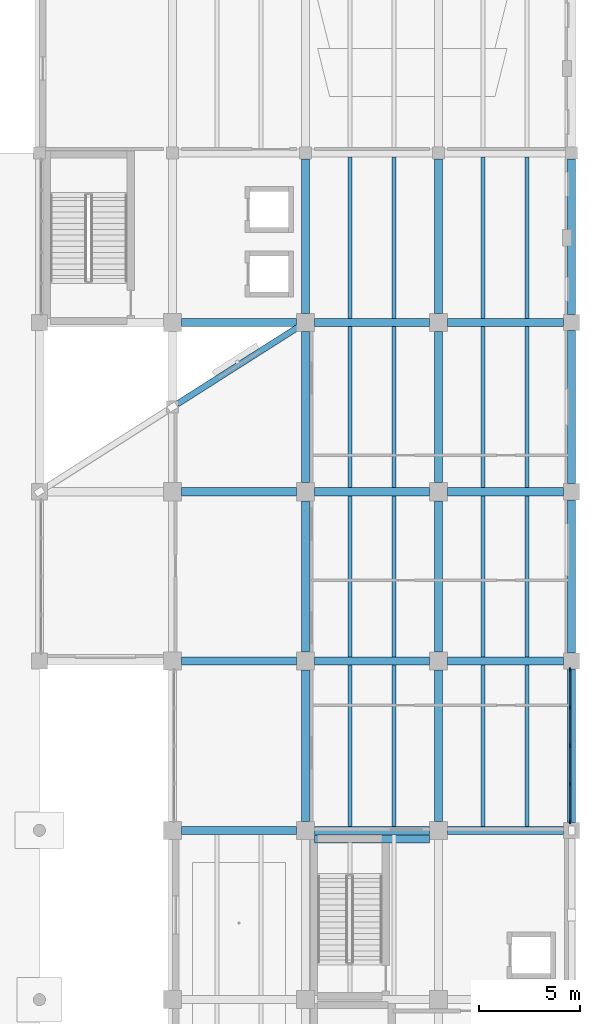
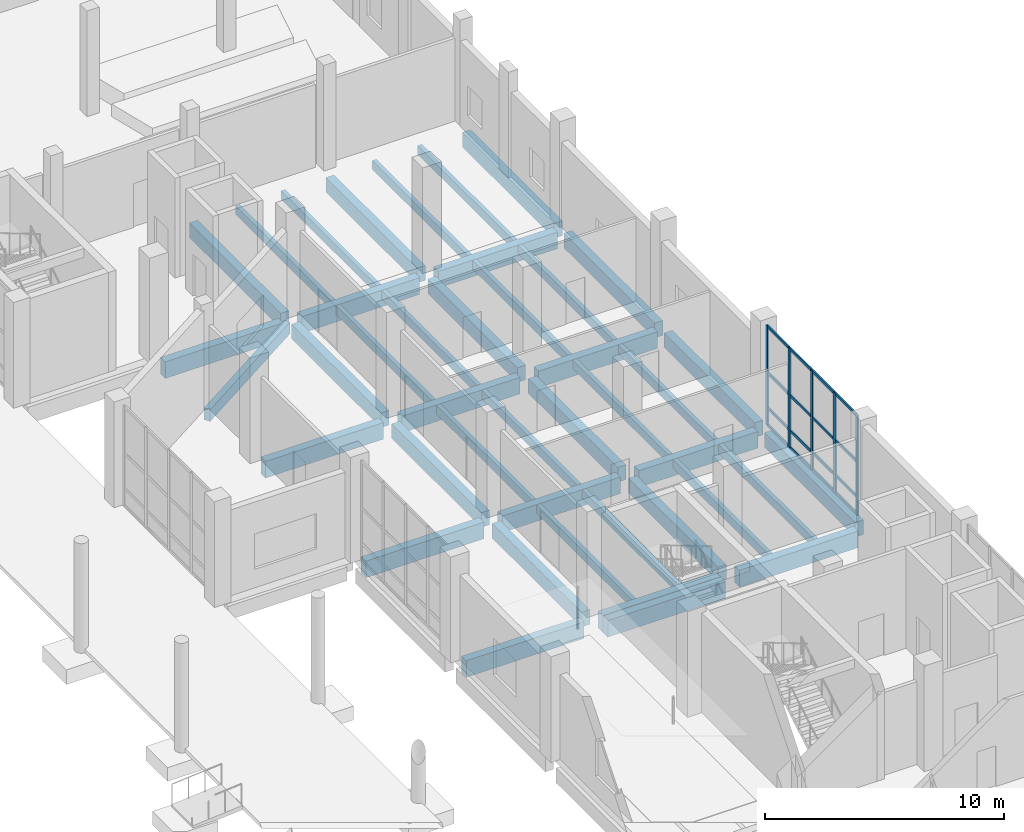
# One storey, part 20 of 64: 42 beams, 21 members, 1 element without a shape of its own.
"""IFC4 building model written with IfcOpenShell, lengths in metres."""

import ifcopenshell
import ifcopenshell.guid

model = None  # the IFC model being written
_history = None  # IfcOwnerHistory: only IFC2X3 demands one
_inside = {}  # id of a spatial element -> (the spatial element, [elements in it])
_under = {}  # id of a project, library or spatial element -> (it, [spatial elements below it])
_declared = {}  # id of a project -> (the project, [libraries it declares])
_typed = {}  # id of a type object -> (the type object, [elements of that type])
_made_of = {}  # id of a material, layer set ... -> (it, [elements and type objects made of it])


def new_model(schema):
    """Start an empty IFC model of exactly this schema.

    Asked for "IFC4X3", IfcOpenShell would pick the latest addendum, in which some entities
    have other attributes; the version numbers below select the first issue.
    IFC2X3 requires an IfcOwnerHistory on every rooted entity: one is made here for all.
    """
    global model, _history
    if schema == "IFC4X3":
        model = ifcopenshell.file(schema_version=(4, 3, 0, 0))
    else:
        model = ifcopenshell.file(schema=schema)
    _inside.clear()
    _under.clear()
    _declared.clear()
    _typed.clear()
    _made_of.clear()
    _history = None
    if model.schema == "IFC2X3":
        org = make("IfcOrganization", Name="unknown")
        user = make(
            "IfcPersonAndOrganization",
            ThePerson=make("IfcPerson", FamilyName="unknown"),
            TheOrganization=org,
        )
        app = make(
            "IfcApplication",
            ApplicationDeveloper=org,
            Version="unknown",
            ApplicationFullName="unknown",
            ApplicationIdentifier="unknown",
        )
        _history = make(
            "IfcOwnerHistory",
            OwningUser=user,
            OwningApplication=app,
            ChangeAction="ADDED",
            CreationDate=0,
        )
    return model


def make(cls, **values):
    """One entity of the class cls with the attributes given. An attribute that is None is left unset."""
    return model.create_entity(
        cls, **{name: value for name, value in values.items() if value is not None}
    )


def rooted(cls, **values):
    """An entity with a GlobalId (a new one), such as an element, a storey or a relation."""
    return make(cls, GlobalId=ifcopenshell.guid.new(), OwnerHistory=_history, **values)


def si_unit(unit_type, name, prefix=None):
    """IfcSIUnit, for example si_unit("LENGTHUNIT", "METRE", prefix="MILLI")."""
    return make("IfcSIUnit", UnitType=unit_type, Prefix=prefix, Name=name)


def assignment(units):
    """IfcUnitAssignment: the units of a project."""
    return None if units is None else make("IfcUnitAssignment", Units=units)


def point(xyz):
    """IfcCartesianPoint."""
    return None if xyz is None else make("IfcCartesianPoint", Coordinates=xyz)


def direction(xyz):
    """IfcDirection."""
    return None if xyz is None else make("IfcDirection", DirectionRatios=xyz)


def frame(location, z_axis=None, x_axis=None):
    """IfcAxis2Placement3D, a coordinate frame: its origin and axes. An axis left out is left unset."""
    return make(
        "IfcAxis2Placement3D",
        Location=point(location),
        Axis=direction(z_axis),
        RefDirection=direction(x_axis),
    )


def frame_2d(location, x_axis=None):
    """IfcAxis2Placement2D, a coordinate frame in the plane: its origin and x axis."""
    return make(
        "IfcAxis2Placement2D", Location=point(location), RefDirection=direction(x_axis)
    )


def origin():
    """The frame at (0, 0, 0) with its axes left unset."""
    return frame((0.0, 0.0, 0.0))


def origin_2d():
    """The frame at (0, 0) in the plane with its x axis left unset."""
    return frame_2d((0.0, 0.0))


def place(relative_to, where):
    """IfcLocalPlacement: puts the frame where relative to a parent placement (None: the world)."""
    return make(
        "IfcLocalPlacement", PlacementRelTo=relative_to, RelativePlacement=where
    )


def context(
    kind, dimensions, precision=None, world=None, true_north=None, identifier=None
):
    """IfcGeometricRepresentationContext, for example the 3D "Model" context."""
    return make(
        "IfcGeometricRepresentationContext",
        ContextIdentifier=identifier,
        ContextType=kind,
        CoordinateSpaceDimension=dimensions,
        Precision=precision,
        WorldCoordinateSystem=world,
        TrueNorth=true_north,
    )


def subcontext(parent, identifier, kind, view, scale=None):
    """IfcGeometricRepresentationSubContext, for example "Body" below "Model"."""
    return make(
        "IfcGeometricRepresentationSubContext",
        ContextIdentifier=identifier,
        ContextType=kind,
        ParentContext=parent,
        TargetScale=scale,
        TargetView=view,
    )


def project(units=None, contexts=None):
    """IfcProject with its units and contexts."""
    return rooted(
        "IfcProject",
        Name="project",
        RepresentationContexts=contexts,
        UnitsInContext=assignment(units),
    )


def spatial(cls, under=None, at=None, **own):
    """A site, building, storey or space (cls), placed at a placement, below another one or the project."""
    s = rooted(cls, ObjectPlacement=at, **own)
    if under is not None:
        _under.setdefault(under.id(), (under, []))[1].append(s)
    return s


def profile(cls, at=None, kind="AREA", **sizes):
    """A parametric profile (cls). Its sizes go by their IFC names, for example OverallWidth=200.0."""
    return make(cls, ProfileType=kind, Position=at, **sizes)


def rectangle(**sizes):
    """IfcRectangleProfileDef."""
    return profile("IfcRectangleProfileDef", **sizes)


def extrude(swept, where, along, depth):
    """IfcExtrudedAreaSolid: the profile swept, set in the frame where, extruded along a direction by depth."""
    return make(
        "IfcExtrudedAreaSolid",
        SweptArea=swept,
        Position=where,
        ExtrudedDirection=direction(along),
        Depth=depth,
    )


def shape(context_of_items, identifier, shape_type, items):
    """IfcShapeRepresentation: the items that make up one representation, for example the "Body"."""
    return make(
        "IfcShapeRepresentation",
        ContextOfItems=context_of_items,
        RepresentationIdentifier=identifier,
        RepresentationType=shape_type,
        Items=items,
    )


def material(Name=None, Category=None):
    """IfcMaterial."""
    return make("IfcMaterial", Name=Name, Category=Category)


def material_profile(
    of_material, cross_section, Name=None, Category=None, Priority=None
):
    """IfcMaterialProfile: a cross section and its material."""
    return make(
        "IfcMaterialProfile",
        Name=Name,
        Material=of_material,
        Profile=cross_section,
        Priority=Priority,
        Category=Category,
    )


def profile_set(profiles, Name=None, composite=None):
    """IfcMaterialProfileSet."""
    return make(
        "IfcMaterialProfileSet",
        Name=Name,
        MaterialProfiles=profiles,
        CompositeProfile=composite,
    )


def made_of(thing, what):
    """Note that an element or type object is made of a material, layer set ...; save() writes the relation."""
    if what is not None:
        _made_of.setdefault(what.id(), (what, []))[1].append(thing)
    return thing


def type_object(cls, material=None, **own):
    """A type object (cls), such as IfcWallType, which elements share."""
    return made_of(rooted(cls, **own), material)


def element(
    cls,
    number,
    at=None,
    inside=None,
    cuts=None,
    type_object=None,
    material=None,
    context=None,
    identifier="Body",
    shape_type=None,
    held_by="IfcProductDefinitionShape",
    body=None,
    shapes=None,
    **own,
):
    """One element of the class cls, such as IfcWall. Its Tag is "e" and its number.

    at: its placement. inside: the storey or other place that contains it. cuts: it is an
    opening in that element (IfcRelVoidsElement). A single representation is given by context,
    identifier, shape_type and body (its items); several are given by shapes. held_by: the class
    of the entity that holds the representations. save() writes the other relations.
    """
    e = rooted(cls, Tag="e%d" % number, ObjectPlacement=at, **own)
    if body is not None:
        shapes = [shape(context, identifier, shape_type, body)]
    if shapes is not None:
        e.Representation = make(held_by, Representations=shapes)
    if inside is not None:
        _inside.setdefault(inside.id(), (inside, []))[1].append(e)
    if cuts is not None:
        rooted(
            "IfcRelVoidsElement", RelatingBuildingElement=cuts, RelatedOpeningElement=e
        )
    if type_object is not None:
        _typed.setdefault(type_object.id(), (type_object, []))[1].append(e)
    return made_of(e, material)


def aggregate(whole, parts):
    """IfcRelAggregates: a whole, such as a stair, and the parts it consists of."""
    return rooted("IfcRelAggregates", RelatingObject=whole, RelatedObjects=parts)


def save(model, path):
    """Write the relations noted so far, then the file.

    IfcRelAggregates (storeys below a building ...), IfcRelContainedInSpatialStructure (elements
    in a storey), IfcRelDefinesByType, IfcRelAssociatesMaterial and IfcRelDeclares: one each for
    every whole, place, type object, material and project.
    """
    for whole, parts in _under.values():
        aggregate(whole, parts)
    for where, things in _inside.values():
        rooted(
            "IfcRelContainedInSpatialStructure",
            RelatedElements=things,
            RelatingStructure=where,
        )
    for kind, things in _typed.values():
        rooted("IfcRelDefinesByType", RelatedObjects=things, RelatingType=kind)
    for what, things in _made_of.values():
        rooted("IfcRelAssociatesMaterial", RelatedObjects=things, RelatingMaterial=what)
    for by, libraries in _declared.values():
        rooted("IfcRelDeclares", RelatingContext=by, RelatedDefinitions=libraries)
    model.write(path)


model = new_model("IFC4")

# Units and contexts
model_context = context("Model", 3, precision=1e-05, world=origin(), true_north=direction((0.0, 1.0)))
body_context = subcontext(model_context, "Body", "Model", "MODEL_VIEW")
ifc_project = project(units=[si_unit("LENGTHUNIT", "METRE"), si_unit("AREAUNIT", "SQUARE_METRE"), si_unit("VOLUMEUNIT", "CUBIC_METRE"), si_unit("PLANEANGLEUNIT", "RADIAN"), si_unit("MASSUNIT", "GRAM", prefix="KILO")], contexts=[model_context])

# Site, building, storey
site_placement = place(None, origin())
site = spatial("IfcSite", under=ifc_project, at=site_placement, CompositionType="ELEMENT")
building_placement = place(site_placement, origin())
building = spatial("IfcBuilding", under=site, at=building_placement, Name="Qaldarim Faculty of Natural and Applied Sciences", CompositionType="ELEMENT")
storey_placement = place(building_placement, origin())
storey = spatial("IfcBuildingStorey", under=building, at=storey_placement, Name="L00", CompositionType="ELEMENT", Elevation=0.0)

# Beams
ifc_material_1 = material(Name="Concrete C50/60", Category="concrete")
ifc_material_profile_1 = material_profile(ifc_material_1, rectangle(XDim=0.39990234375, YDim=0.75, at=origin_2d()), Name="RC-B400x750")
ifc_profile_set_1 = profile_set([ifc_material_profile_1], Name="Concrete C50/60")
beam_type_1 = type_object("IfcBeamType", Name="LabGirder-RC400x750", PredefinedType="BEAM", material=ifc_profile_set_1)
for number, where, z_axis, x_axis, name in (
    (1, (165.0, 34.050048828125, -0.735107421875), (0.0, 1.0, 0.0), (-1.0, 0.0, 0.0), "Beam RC-B400x750 B01 X26/Y05-Y06"),
    (2, (165.0, 42.449951171875, -0.735107421875), (0.0, 1.0, 0.0), (-1.0, 0.0, 0.0), "Beam RC-B400x750 B01 X26/Y06-Y07"),
    (3, (165.0, 50.85009765625, -0.735107421875), (0.0, 1.0, 0.0), (-1.0, 0.0, 0.0), "Beam RC-B400x750 B01 X26/Y07-Y08"),
):
    element("IfcBeam", number, at=place(storey_placement, frame(where, z_axis=z_axis, x_axis=x_axis)), inside=storey, type_object=beam_type_1, Name=name, PredefinedType="BEAM", context=body_context, shape_type="SweptSolid", body=[
        extrude(rectangle(XDim=0.39990234375, YDim=0.75, at=origin_2d()), origin(), (0.0, 0.0, 1.0), 7.5),
    ])
beam_1_placement = place(storey_placement, frame((165.0, 59.25, -0.735107421875), z_axis=(0.0, 1.0, 0.0), x_axis=(-1.0, 0.0, 0.0)))
element("IfcBeam", 4, at=beam_1_placement, inside=storey, type_object=beam_type_1, Name="Beam RC-B400x750 B01 X26/Y08-Y09", PredefinedType="BEAM", context=body_context, shape_type="SweptSolid", body=[
    extrude(rectangle(XDim=0.39990234375, YDim=0.75, at=origin_2d()), origin(), (0.0, 0.0, 1.0), 7.64990234375),
])
for number, where, z_axis, x_axis, name in (
    (5, (171.60009765625, 34.050048828125, -0.735107421875), (0.0, 1.0, 0.0), (-1.0, 0.0, 0.0), "Beam RC-B400x750 B01 X27/Y05-Y06"),
    (6, (171.60009765625, 42.449951171875, -0.735107421875), (0.0, 1.0, 0.0), (-1.0, 0.0, 0.0), "Beam RC-B400x750 B01 X27/Y06-Y07"),
    (7, (171.60009765625, 50.85009765625, -0.735107421875), (0.0, 1.0, 0.0), (-1.0, 0.0, 0.0), "Beam RC-B400x750 B01 X27/Y07-Y08"),
):
    element("IfcBeam", number, at=place(storey_placement, frame(where, z_axis=z_axis, x_axis=x_axis)), inside=storey, type_object=beam_type_1, Name=name, PredefinedType="BEAM", context=body_context, shape_type="SweptSolid", body=[
        extrude(rectangle(XDim=0.39990234375, YDim=0.75, at=origin_2d()), origin(), (0.0, 0.0, 1.0), 7.5),
    ])
beam_2_placement = place(storey_placement, frame((171.60009765625, 59.25, -0.735107421875), z_axis=(0.0, 1.0, 0.0), x_axis=(-1.0, 0.0, 0.0)))
element("IfcBeam", 8, at=beam_2_placement, inside=storey, type_object=beam_type_1, Name="Beam RC-B400x750 B01 X27/Y08-Y09", PredefinedType="BEAM", context=body_context, shape_type="SweptSolid", body=[
    extrude(rectangle(XDim=0.39990234375, YDim=0.75, at=origin_2d()), origin(), (0.0, 0.0, 1.0), 7.64990234375),
])
for number, where, z_axis, x_axis, name in (
    (9, (178.199951171875, 34.0, -0.735107421875), (0.0, 1.0, 0.0), (-1.0, 0.0, 0.0), "Beam RC-B400x750 B01 X28/Y05-Y06"),
    (10, (178.199951171875, 42.39990234375, -0.735107421875), (0.0, 1.0, 0.0), (-1.0, 0.0, 0.0), "Beam RC-B400x750 B01 X28/Y06-Y07"),
):
    element("IfcBeam", number, at=place(storey_placement, frame(where, z_axis=z_axis, x_axis=x_axis)), inside=storey, type_object=beam_type_1, Name=name, PredefinedType="BEAM", context=body_context, shape_type="SweptSolid", body=[
        extrude(rectangle(XDim=0.39990234375, YDim=0.75, at=origin_2d()), origin(), (0.0, 0.0, 1.0), 7.60009765625),
    ])
beam_3_placement = place(storey_placement, frame((178.199951171875, 50.800048828125, -0.735107421875), z_axis=(0.0, 1.0, 0.0), x_axis=(-1.0, 0.0, 0.0)))
element("IfcBeam", 11, at=beam_3_placement, inside=storey, type_object=beam_type_1, Name="Beam RC-B400x750 B01 X28/Y07-Y08", PredefinedType="BEAM", context=body_context, shape_type="SweptSolid", body=[
    extrude(rectangle(XDim=0.39990234375, YDim=0.75, at=origin_2d()), origin(), (0.0, 0.0, 1.0), 7.599853515625),
])
beam_4_placement = place(storey_placement, frame((178.199951171875, 59.199951171875, -0.735107421875), z_axis=(0.0, 1.0, 0.0), x_axis=(-1.0, 0.0, 0.0)))
element("IfcBeam", 12, at=beam_4_placement, inside=storey, type_object=beam_type_1, Name="Beam RC-B400x750 B01 X28/Y08-Y09", PredefinedType="BEAM", context=body_context, shape_type="SweptSolid", body=[
    extrude(rectangle(XDim=0.39990234375, YDim=0.75, at=origin_2d()), origin(), (0.0, 0.0, 1.0), 7.699951171875),
])
ifc_material_2 = material(Name="Concrete C40/50", Category="concrete")
ifc_material_profile_2 = material_profile(ifc_material_2, rectangle(XDim=0.199951171875, YDim=0.449951171875, at=origin_2d()), Name="RC-J200x450")
ifc_profile_set_2 = profile_set([ifc_material_profile_2], Name="Concrete C40/50")
beam_type_2 = type_object("IfcBeamType", Name="LabJoist-RC200x450", PredefinedType="JOIST", material=ifc_profile_set_2)
for number, where, z_axis, x_axis, name in (
    (13, (167.199951171875, 33.800048828125, -0.5849609375), (0.0, 1.0, 0.0), (-1.0, 0.0, 0.0), "Laboratory joist B01 bay X26Y05-1"),
    (14, (169.39990234375, 33.800048828125, -0.5849609375), (0.0, 1.0, 0.0), (-1.0, 0.0, 0.0), "Laboratory joist B01 bay X26Y05-2"),
    (15, (167.199951171875, 42.199951171875, -0.5849609375), (0.0, 1.0, 0.0), (-1.0, 0.0, 0.0), "Laboratory joist B01 bay X26Y06-1"),
    (16, (169.39990234375, 42.199951171875, -0.5849609375), (0.0, 1.0, 0.0), (-1.0, 0.0, 0.0), "Laboratory joist B01 bay X26Y06-2"),
    (17, (167.199951171875, 50.60009765625, -0.5849609375), (0.0, 1.0, 0.0), (-1.0, 0.0, 0.0), "Laboratory joist B01 bay X26Y07-1"),
    (18, (169.39990234375, 50.60009765625, -0.5849609375), (0.0, 1.0, 0.0), (-1.0, 0.0, 0.0), "Laboratory joist B01 bay X26Y07-2"),
    (19, (167.199951171875, 59.0, -0.5849609375), (0.0, 1.0, 0.0), (-1.0, 0.0, 0.0), "Laboratory joist B01 bay X26Y08-1"),
    (20, (169.39990234375, 59.0, -0.5849609375), (0.0, 1.0, 0.0), (-1.0, 0.0, 0.0), "Laboratory joist B01 bay X26Y08-2"),
    (21, (173.800048828125, 33.800048828125, -0.5849609375), (0.0, 1.0, 0.0), (-1.0, 0.0, 0.0), "Laboratory joist B01 bay X27Y05-1"),
    (22, (176.0, 33.800048828125, -0.5849609375), (0.0, 1.0, 0.0), (-1.0, 0.0, 0.0), "Laboratory joist B01 bay X27Y05-2"),
    (23, (173.800048828125, 42.199951171875, -0.5849609375), (0.0, 1.0, 0.0), (-1.0, 0.0, 0.0), "Laboratory joist B01 bay X27Y06-1"),
    (24, (176.0, 42.199951171875, -0.5849609375), (0.0, 1.0, 0.0), (-1.0, 0.0, 0.0), "Laboratory joist B01 bay X27Y06-2"),
    (25, (173.800048828125, 50.60009765625, -0.5849609375), (0.0, 1.0, 0.0), (-1.0, 0.0, 0.0), "Laboratory joist B01 bay X27Y07-1"),
    (26, (176.0, 50.60009765625, -0.5849609375), (0.0, 1.0, 0.0), (-1.0, 0.0, 0.0), "Laboratory joist B01 bay X27Y07-2"),
    (27, (173.800048828125, 59.0, -0.5849609375), (0.0, 1.0, 0.0), (-1.0, 0.0, 0.0), "Laboratory joist B01 bay X27Y08-1"),
    (28, (176.0, 59.0, -0.5849609375), (0.0, 1.0, 0.0), (-1.0, 0.0, 0.0), "Laboratory joist B01 bay X27Y08-2"),
):
    element("IfcBeam", number, at=place(storey_placement, frame(where, z_axis=z_axis, x_axis=x_axis)), inside=storey, type_object=beam_type_2, Name=name, PredefinedType="JOIST", context=body_context, shape_type="SweptSolid", body=[
        extrude(rectangle(XDim=0.199951171875, YDim=0.449951171875, at=origin_2d()), origin(), (0.0, 0.0, 1.0), 8.0),
    ])

# Curtain wall, members
ifc_material_3 = material(Name="Anodised aluminium AW-6063", Category="aluminium")
curtain_wall_type = type_object("IfcCurtainWallType", Name="CurtainWallSystem-M1700", PredefinedType="USERDEFINED", material=ifc_material_3)
curtain_wall_placement = place(storey_placement, origin())
curtain_wall = element("IfcCurtainWall", 29, at=curtain_wall_placement, inside=storey, type_object=curtain_wall_type, Name="Curtain wall CW-L00-E-X27Y05", ObjectType="UNITISED FACADE", PredefinedType="USERDEFINED")
ifc_material_profile_3 = material_profile(ifc_material_3, rectangle(XDim=0.070068359375, YDim=0.179931640625, at=origin_2d()), Name="ALU-M70x180")
ifc_profile_set_3 = profile_set([ifc_material_profile_3], Name="Anodised aluminium AW-6063")
member_type_1 = type_object("IfcMemberType", Name="Mullion-ALU70x180", PredefinedType="MULLION", material=ifc_profile_set_3)
member_1_placement = place(storey_placement, frame((178.1201171875, 34.030029296875, 0.0), z_axis=(0.0, 0.0, 1.0), x_axis=(-1.0, 0.0, 0.0)))
member_1 = element("IfcMember", 30, at=member_1_placement, type_object=member_type_1, Name="Mullion 1 of CW-L00-E-X27Y05", PredefinedType="MULLION", context=body_context, shape_type="SweptSolid", body=[
    extrude(rectangle(XDim=0.070068359375, YDim=0.179931640625, at=origin_2d()), origin(), (0.0, 0.0, 1.0), 5.10009765625),
])
member_2_placement = place(storey_placement, frame((178.1201171875, 35.8974609375, 0.0), z_axis=(0.0, 0.0, 1.0), x_axis=(-1.0, 0.0, 0.0)))
member_2 = element("IfcMember", 31, at=member_2_placement, type_object=member_type_1, Name="Mullion 2 of CW-L00-E-X27Y05", PredefinedType="MULLION", context=body_context, shape_type="SweptSolid", body=[
    extrude(rectangle(XDim=0.070068359375, YDim=0.179931640625, at=origin_2d()), origin(), (0.0, 0.0, 1.0), 5.10009765625),
])
member_3_placement = place(storey_placement, frame((178.1201171875, 37.800048828125, 0.0), z_axis=(0.0, 0.0, 1.0), x_axis=(-1.0, 0.0, 0.0)))
member_3 = element("IfcMember", 32, at=member_3_placement, type_object=member_type_1, Name="Mullion 3 of CW-L00-E-X27Y05", PredefinedType="MULLION", context=body_context, shape_type="SweptSolid", body=[
    extrude(rectangle(XDim=0.070068359375, YDim=0.179931640625, at=origin_2d()), origin(), (0.0, 0.0, 1.0), 5.10009765625),
])
member_4_placement = place(storey_placement, frame((178.1201171875, 39.702392578125, 0.0), z_axis=(0.0, 0.0, 1.0), x_axis=(-1.0, 0.0, 0.0)))
member_4 = element("IfcMember", 33, at=member_4_placement, type_object=member_type_1, Name="Mullion 4 of CW-L00-E-X27Y05", PredefinedType="MULLION", context=body_context, shape_type="SweptSolid", body=[
    extrude(rectangle(XDim=0.070068359375, YDim=0.179931640625, at=origin_2d()), origin(), (0.0, 0.0, 1.0), 5.10009765625),
])
member_5_placement = place(storey_placement, frame((178.1201171875, 41.570068359375, 0.0), z_axis=(0.0, 0.0, 1.0), x_axis=(-1.0, 0.0, 0.0)))
member_5 = element("IfcMember", 34, at=member_5_placement, type_object=member_type_1, Name="Mullion 5 of CW-L00-E-X27Y05", PredefinedType="MULLION", context=body_context, shape_type="SweptSolid", body=[
    extrude(rectangle(XDim=0.070068359375, YDim=0.179931640625, at=origin_2d()), origin(), (0.0, 0.0, 1.0), 5.10009765625),
])

# Beams
ifc_material_profile_4 = material_profile(ifc_material_1, rectangle(XDim=0.39990234375, YDim=0.85009765625, at=origin_2d()), Name="RC-B400x850")
ifc_profile_set_4 = profile_set([ifc_material_profile_4], Name="Concrete C50/60")
beam_type_3 = type_object("IfcBeamType", Name="PodiumGirder-RC400x850", PredefinedType="BEAM", material=ifc_profile_set_4)
for number, where, z_axis, x_axis, name in (
    (35, (158.85009765625, 33.60009765625, -0.784912109375), (1.0, 0.0, 0.0), (0.0, 1.0, 0.0), "Beam RC-B400x850 B01 X25-X26/Y05"),
    (36, (165.449951171875, 33.60009765625, -0.784912109375), (1.0, 0.0, 0.0), (0.0, 1.0, 0.0), "Beam RC-B400x850 B01 X26-X27/Y05"),
):
    element("IfcBeam", number, at=place(storey_placement, frame(where, z_axis=z_axis, x_axis=x_axis)), inside=storey, type_object=beam_type_3, Name=name, PredefinedType="BEAM", context=body_context, shape_type="SweptSolid", body=[
        extrude(rectangle(XDim=0.39990234375, YDim=0.85009765625, at=origin_2d()), origin(), (0.0, 0.0, 1.0), 5.699951171875),
    ])
beam_5_placement = place(storey_placement, frame((172.050048828125, 33.60009765625, -0.784912109375), z_axis=(1.0, 0.0, 0.0), x_axis=(0.0, 1.0, 0.0)))
element("IfcBeam", 37, at=beam_5_placement, inside=storey, type_object=beam_type_3, Name="Beam RC-B400x850 B01 X27-X28/Y05", PredefinedType="BEAM", context=body_context, shape_type="SweptSolid", body=[
    extrude(rectangle(XDim=0.39990234375, YDim=0.85009765625, at=origin_2d()), origin(), (0.0, 0.0, 1.0), 5.75),
])
for number, where, z_axis, x_axis, name in (
    (38, (158.85009765625, 42.0, -0.784912109375), (1.0, 0.0, 0.0), (0.0, 1.0, 0.0), "Beam RC-B400x850 B01 X25-X26/Y06"),
    (39, (165.449951171875, 42.0, -0.784912109375), (1.0, 0.0, 0.0), (0.0, 1.0, 0.0), "Beam RC-B400x850 B01 X26-X27/Y06"),
):
    element("IfcBeam", number, at=place(storey_placement, frame(where, z_axis=z_axis, x_axis=x_axis)), inside=storey, type_object=beam_type_3, Name=name, PredefinedType="BEAM", context=body_context, shape_type="SweptSolid", body=[
        extrude(rectangle(XDim=0.39990234375, YDim=0.85009765625, at=origin_2d()), origin(), (0.0, 0.0, 1.0), 5.699951171875),
    ])
beam_6_placement = place(storey_placement, frame((172.050048828125, 42.0, -0.784912109375), z_axis=(1.0, 0.0, 0.0), x_axis=(0.0, 1.0, 0.0)))
element("IfcBeam", 40, at=beam_6_placement, inside=storey, type_object=beam_type_3, Name="Beam RC-B400x850 B01 X27-X28/Y06", PredefinedType="BEAM", context=body_context, shape_type="SweptSolid", body=[
    extrude(rectangle(XDim=0.39990234375, YDim=0.85009765625, at=origin_2d()), origin(), (0.0, 0.0, 1.0), 5.75),
])
for number, where, z_axis, x_axis, name in (
    (41, (158.85009765625, 50.39990234375, -0.784912109375), (1.0, 0.0, 0.0), (0.0, 1.0, 0.0), "Beam RC-B400x850 B01 X25-X26/Y07"),
    (42, (165.449951171875, 50.39990234375, -0.784912109375), (1.0, 0.0, 0.0), (0.0, 1.0, 0.0), "Beam RC-B400x850 B01 X26-X27/Y07"),
):
    element("IfcBeam", number, at=place(storey_placement, frame(where, z_axis=z_axis, x_axis=x_axis)), inside=storey, type_object=beam_type_3, Name=name, PredefinedType="BEAM", context=body_context, shape_type="SweptSolid", body=[
        extrude(rectangle(XDim=0.39990234375, YDim=0.85009765625, at=origin_2d()), origin(), (0.0, 0.0, 1.0), 5.699951171875),
    ])
beam_7_placement = place(storey_placement, frame((172.050048828125, 50.39990234375, -0.784912109375), z_axis=(1.0, 0.0, 0.0), x_axis=(0.0, 1.0, 0.0)))
element("IfcBeam", 43, at=beam_7_placement, inside=storey, type_object=beam_type_3, Name="Beam RC-B400x850 B01 X27-X28/Y07", PredefinedType="BEAM", context=body_context, shape_type="SweptSolid", body=[
    extrude(rectangle(XDim=0.39990234375, YDim=0.85009765625, at=origin_2d()), origin(), (0.0, 0.0, 1.0), 5.75),
])
for number, where, z_axis, x_axis, name in (
    (44, (158.85009765625, 58.800048828125, -0.784912109375), (1.0, 0.0, 0.0), (0.0, 1.0, 0.0), "Beam RC-B400x850 B01 X25-X26/Y08"),
    (45, (165.449951171875, 58.800048828125, -0.784912109375), (1.0, 0.0, 0.0), (0.0, 1.0, 0.0), "Beam RC-B400x850 B01 X26-X27/Y08"),
):
    element("IfcBeam", number, at=place(storey_placement, frame(where, z_axis=z_axis, x_axis=x_axis)), inside=storey, type_object=beam_type_3, Name=name, PredefinedType="BEAM", context=body_context, shape_type="SweptSolid", body=[
        extrude(rectangle(XDim=0.39990234375, YDim=0.85009765625, at=origin_2d()), origin(), (0.0, 0.0, 1.0), 5.699951171875),
    ])
beam_8_placement = place(storey_placement, frame((172.050048828125, 58.800048828125, -0.784912109375), z_axis=(1.0, 0.0, 0.0), x_axis=(0.0, 1.0, 0.0)))
element("IfcBeam", 46, at=beam_8_placement, inside=storey, type_object=beam_type_3, Name="Beam RC-B400x850 B01 X27-X28/Y08", PredefinedType="BEAM", context=body_context, shape_type="SweptSolid", body=[
    extrude(rectangle(XDim=0.39990234375, YDim=0.85009765625, at=origin_2d()), origin(), (0.0, 0.0, 1.0), 5.75),
])
beam_9_placement = place(storey_placement, frame((165.449951171875, 33.179931640625, -0.784912109375), z_axis=(1.0, 0.0, 0.0), x_axis=(0.0, 1.0, 0.0)))
element("IfcBeam", 47, at=beam_9_placement, inside=storey, type_object=beam_type_3, Name="Stair shaft foundation transfer beam STA2-N", PredefinedType="BEAM", context=body_context, shape_type="SweptSolid", body=[
    extrude(rectangle(XDim=0.39990234375, YDim=0.85009765625, at=origin_2d()), origin(), (0.0, 0.0, 1.0), 5.699951171875),
])
ifc_material_4 = material(Name="Precast concrete C40/50", Category="concrete")
ifc_material_profile_5 = material_profile(ifc_material_4, rectangle(XDim=0.300048828125, YDim=0.60009765625, at=origin_2d()), Name="RC-SP300x600")
ifc_profile_set_5 = profile_set([ifc_material_profile_5], Name="Precast concrete C40/50")
beam_type_4 = type_object("IfcBeamType", Name="SpandrelBeam-RC300x600", PredefinedType="SPANDREL", material=ifc_profile_set_5)
beam_10_placement = place(storey_placement, frame((158.64990234375, 54.760009765625, -0.659912109375), z_axis=(0.843786613851, 0.536678814829, 0.0), x_axis=(-0.536678814829, 0.843786613851, 0.0)))
element("IfcBeam", 48, at=beam_10_placement, inside=storey, type_object=beam_type_4, Name="Oblique NW chamfer spandrel B01 2", PredefinedType="SPANDREL", context=body_context, shape_type="SweptSolid", body=[
    extrude(rectangle(XDim=0.300048828125, YDim=0.60009765625, at=origin_2d()), origin(), (0.0, 0.0, 1.0), 7.2294921875),
])

# Member
ifc_material_profile_6 = material_profile(ifc_material_3, rectangle(XDim=0.070068359375, YDim=0.139892578125, at=origin_2d()), Name="ALU-T70x140")
ifc_profile_set_6 = profile_set([ifc_material_profile_6], Name="Anodised aluminium AW-6063")
member_type_2 = type_object("IfcMemberType", Name="Transom-ALU70x140", PredefinedType="USERDEFINED", material=ifc_profile_set_6)
member_6_placement = place(storey_placement, frame((178.1201171875, 34.06494140625, 0.034912109375), z_axis=(0.0, 1.0, 0.0), x_axis=(-1.0, 0.0, 0.0)))
member_6 = element("IfcMember", 49, at=member_6_placement, type_object=member_type_2, Name="Transom 1-1 of CW-L00-E-X27Y05", ObjectType="TRANSOM", PredefinedType="USERDEFINED", context=body_context, shape_type="SweptSolid", body=[
    extrude(rectangle(XDim=0.070068359375, YDim=0.139892578125, at=origin_2d()), origin(), (0.0, 0.0, 1.0), 1.797607421875),
])

member_7_placement = place(storey_placement, frame((178.1201171875, 34.06494140625, 0.89990234375), z_axis=(0.0, 1.0, 0.0), x_axis=(-1.0, 0.0, 0.0)))
member_7 = element("IfcMember", 50, at=member_7_placement, type_object=member_type_2, Name="Transom 1-2 of CW-L00-E-X27Y05", ObjectType="TRANSOM", PredefinedType="USERDEFINED", context=body_context, shape_type="SweptSolid", body=[
    extrude(rectangle(XDim=0.070068359375, YDim=0.139892578125, at=origin_2d()), origin(), (0.0, 0.0, 1.0), 1.797607421875),
])

member_8_placement = place(storey_placement, frame((178.1201171875, 34.06494140625, 2.699951171875), z_axis=(0.0, 1.0, 0.0), x_axis=(-1.0, 0.0, 0.0)))
member_8 = element("IfcMember", 51, at=member_8_placement, type_object=member_type_2, Name="Transom 1-3 of CW-L00-E-X27Y05", ObjectType="TRANSOM", PredefinedType="USERDEFINED", context=body_context, shape_type="SweptSolid", body=[
    extrude(rectangle(XDim=0.070068359375, YDim=0.139892578125, at=origin_2d()), origin(), (0.0, 0.0, 1.0), 1.797607421875),
])

member_9_placement = place(storey_placement, frame((178.1201171875, 34.06494140625, 5.06494140625), z_axis=(0.0, 1.0, 0.0), x_axis=(-1.0, 0.0, 0.0)))
member_9 = element("IfcMember", 52, at=member_9_placement, type_object=member_type_2, Name="Transom 1-4 of CW-L00-E-X27Y05", ObjectType="TRANSOM", PredefinedType="USERDEFINED", context=body_context, shape_type="SweptSolid", body=[
    extrude(rectangle(XDim=0.070068359375, YDim=0.139892578125, at=origin_2d()), origin(), (0.0, 0.0, 1.0), 1.797607421875),
])

member_10_placement = place(storey_placement, frame((178.1201171875, 35.9326171875, 0.034912109375), z_axis=(0.0, 1.0, 0.0), x_axis=(-1.0, 0.0, 0.0)))
member_10 = element("IfcMember", 53, at=member_10_placement, type_object=member_type_2, Name="Transom 2-1 of CW-L00-E-X27Y05", ObjectType="TRANSOM", PredefinedType="USERDEFINED", context=body_context, shape_type="SweptSolid", body=[
    extrude(rectangle(XDim=0.070068359375, YDim=0.139892578125, at=origin_2d()), origin(), (0.0, 0.0, 1.0), 1.832275390625),
])

member_11_placement = place(storey_placement, frame((178.1201171875, 35.9326171875, 0.89990234375), z_axis=(0.0, 1.0, 0.0), x_axis=(-1.0, 0.0, 0.0)))
member_11 = element("IfcMember", 54, at=member_11_placement, type_object=member_type_2, Name="Transom 2-2 of CW-L00-E-X27Y05", ObjectType="TRANSOM", PredefinedType="USERDEFINED", context=body_context, shape_type="SweptSolid", body=[
    extrude(rectangle(XDim=0.070068359375, YDim=0.139892578125, at=origin_2d()), origin(), (0.0, 0.0, 1.0), 1.832275390625),
])

member_12_placement = place(storey_placement, frame((178.1201171875, 35.9326171875, 2.699951171875), z_axis=(0.0, 1.0, 0.0), x_axis=(-1.0, 0.0, 0.0)))
member_12 = element("IfcMember", 55, at=member_12_placement, type_object=member_type_2, Name="Transom 2-3 of CW-L00-E-X27Y05", ObjectType="TRANSOM", PredefinedType="USERDEFINED", context=body_context, shape_type="SweptSolid", body=[
    extrude(rectangle(XDim=0.070068359375, YDim=0.139892578125, at=origin_2d()), origin(), (0.0, 0.0, 1.0), 1.832275390625),
])

member_13_placement = place(storey_placement, frame((178.1201171875, 35.9326171875, 5.06494140625), z_axis=(0.0, 1.0, 0.0), x_axis=(-1.0, 0.0, 0.0)))
member_13 = element("IfcMember", 56, at=member_13_placement, type_object=member_type_2, Name="Transom 2-4 of CW-L00-E-X27Y05", ObjectType="TRANSOM", PredefinedType="USERDEFINED", context=body_context, shape_type="SweptSolid", body=[
    extrude(rectangle(XDim=0.070068359375, YDim=0.139892578125, at=origin_2d()), origin(), (0.0, 0.0, 1.0), 1.832275390625),
])

member_14_placement = place(storey_placement, frame((178.1201171875, 37.8349609375, 0.034912109375), z_axis=(0.0, 1.0, 0.0), x_axis=(-1.0, 0.0, 0.0)))
member_14 = element("IfcMember", 57, at=member_14_placement, type_object=member_type_2, Name="Transom 3-1 of CW-L00-E-X27Y05", ObjectType="TRANSOM", PredefinedType="USERDEFINED", context=body_context, shape_type="SweptSolid", body=[
    extrude(rectangle(XDim=0.070068359375, YDim=0.139892578125, at=origin_2d()), origin(), (0.0, 0.0, 1.0), 1.83251953125),
])

member_15_placement = place(storey_placement, frame((178.1201171875, 37.8349609375, 0.89990234375), z_axis=(0.0, 1.0, 0.0), x_axis=(-1.0, 0.0, 0.0)))
member_15 = element("IfcMember", 58, at=member_15_placement, type_object=member_type_2, Name="Transom 3-2 of CW-L00-E-X27Y05", ObjectType="TRANSOM", PredefinedType="USERDEFINED", context=body_context, shape_type="SweptSolid", body=[
    extrude(rectangle(XDim=0.070068359375, YDim=0.139892578125, at=origin_2d()), origin(), (0.0, 0.0, 1.0), 1.83251953125),
])

member_16_placement = place(storey_placement, frame((178.1201171875, 37.8349609375, 2.699951171875), z_axis=(0.0, 1.0, 0.0), x_axis=(-1.0, 0.0, 0.0)))
member_16 = element("IfcMember", 59, at=member_16_placement, type_object=member_type_2, Name="Transom 3-3 of CW-L00-E-X27Y05", ObjectType="TRANSOM", PredefinedType="USERDEFINED", context=body_context, shape_type="SweptSolid", body=[
    extrude(rectangle(XDim=0.070068359375, YDim=0.139892578125, at=origin_2d()), origin(), (0.0, 0.0, 1.0), 1.83251953125),
])

member_17_placement = place(storey_placement, frame((178.1201171875, 37.8349609375, 5.06494140625), z_axis=(0.0, 1.0, 0.0), x_axis=(-1.0, 0.0, 0.0)))
member_17 = element("IfcMember", 60, at=member_17_placement, type_object=member_type_2, Name="Transom 3-4 of CW-L00-E-X27Y05", ObjectType="TRANSOM", PredefinedType="USERDEFINED", context=body_context, shape_type="SweptSolid", body=[
    extrude(rectangle(XDim=0.070068359375, YDim=0.139892578125, at=origin_2d()), origin(), (0.0, 0.0, 1.0), 1.83251953125),
])

member_18_placement = place(storey_placement, frame((178.1201171875, 39.737548828125, 0.034912109375), z_axis=(0.0, 1.0, 0.0), x_axis=(-1.0, 0.0, 0.0)))
member_18 = element("IfcMember", 61, at=member_18_placement, type_object=member_type_2, Name="Transom 4-1 of CW-L00-E-X27Y05", ObjectType="TRANSOM", PredefinedType="USERDEFINED", context=body_context, shape_type="SweptSolid", body=[
    extrude(rectangle(XDim=0.070068359375, YDim=0.139892578125, at=origin_2d()), origin(), (0.0, 0.0, 1.0), 1.79736328125),
])

member_19_placement = place(storey_placement, frame((178.1201171875, 39.737548828125, 0.89990234375), z_axis=(0.0, 1.0, 0.0), x_axis=(-1.0, 0.0, 0.0)))
member_19 = element("IfcMember", 62, at=member_19_placement, type_object=member_type_2, Name="Transom 4-2 of CW-L00-E-X27Y05", ObjectType="TRANSOM", PredefinedType="USERDEFINED", context=body_context, shape_type="SweptSolid", body=[
    extrude(rectangle(XDim=0.070068359375, YDim=0.139892578125, at=origin_2d()), origin(), (0.0, 0.0, 1.0), 1.79736328125),
])

member_20_placement = place(storey_placement, frame((178.1201171875, 39.737548828125, 2.699951171875), z_axis=(0.0, 1.0, 0.0), x_axis=(-1.0, 0.0, 0.0)))
member_20 = element("IfcMember", 63, at=member_20_placement, type_object=member_type_2, Name="Transom 4-3 of CW-L00-E-X27Y05", ObjectType="TRANSOM", PredefinedType="USERDEFINED", context=body_context, shape_type="SweptSolid", body=[
    extrude(rectangle(XDim=0.070068359375, YDim=0.139892578125, at=origin_2d()), origin(), (0.0, 0.0, 1.0), 1.79736328125),
])

member_21_placement = place(storey_placement, frame((178.1201171875, 39.737548828125, 5.06494140625), z_axis=(0.0, 1.0, 0.0), x_axis=(-1.0, 0.0, 0.0)))
member_21 = element("IfcMember", 64, at=member_21_placement, type_object=member_type_2, Name="Transom 4-4 of CW-L00-E-X27Y05", ObjectType="TRANSOM", PredefinedType="USERDEFINED", context=body_context, shape_type="SweptSolid", body=[
    extrude(rectangle(XDim=0.070068359375, YDim=0.139892578125, at=origin_2d()), origin(), (0.0, 0.0, 1.0), 1.79736328125),
])

aggregate(curtain_wall, [member_1, member_2, member_3, member_4, member_5, member_6, member_7, member_8, member_9, member_10, member_11, member_12, member_13, member_14, member_15, member_16, member_17, member_18, member_19, member_20, member_21])

save(model, "model.ifc")
